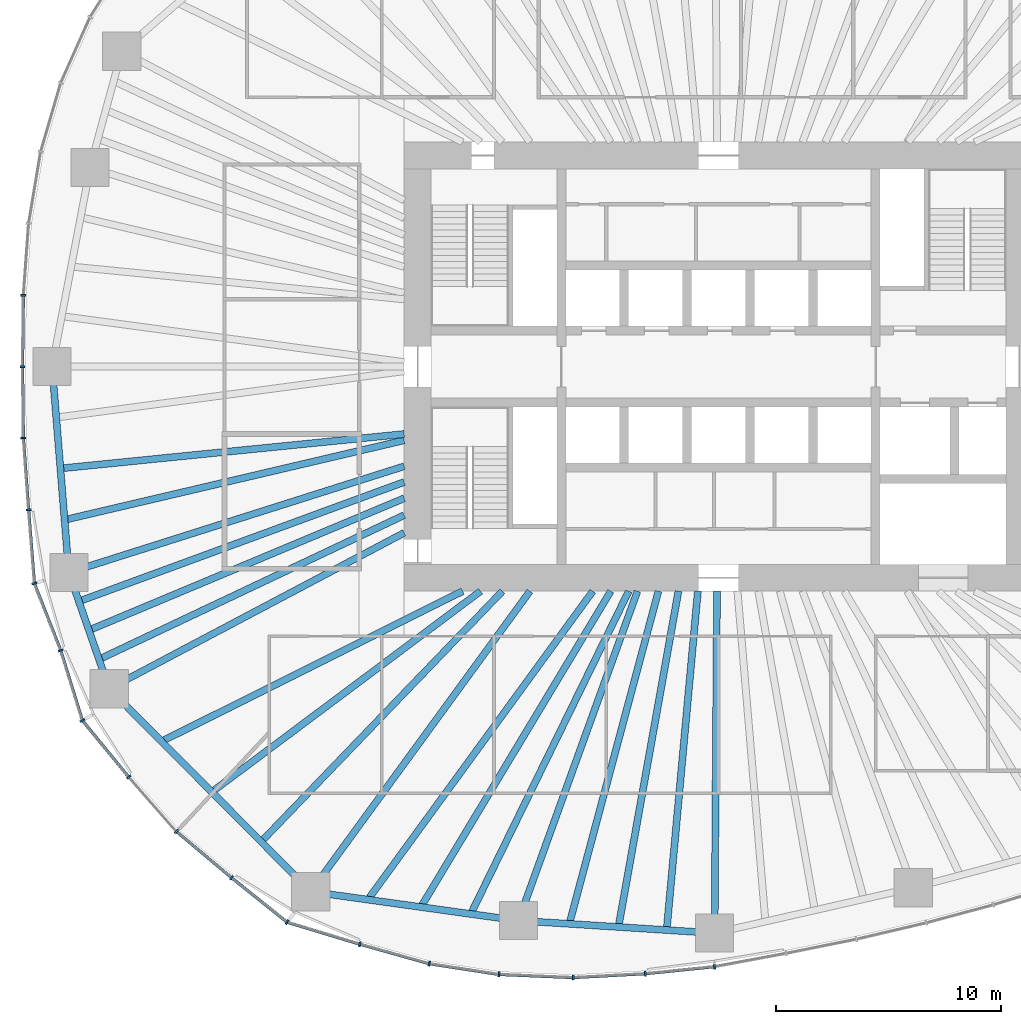
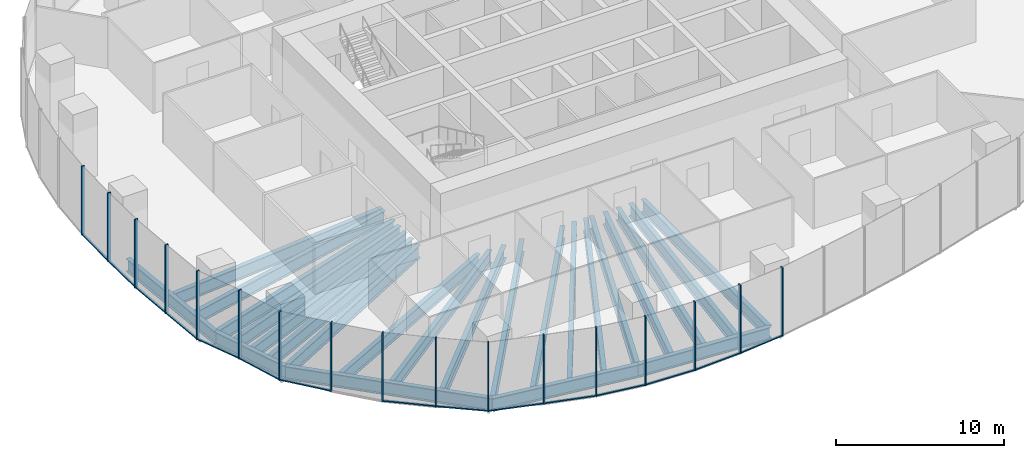
# One storey, part 2 of 20: 32 members, 24 beams, 7 elements without a shape of their own.
"""IFC4 building model written with IfcOpenShell, lengths in metres."""

from ifc_helpers import new_model, si_unit, direction, frame, origin, origin_2d, place, context, subcontext, project, spatial, rectangle, i_section, extrude, material, material_profile, profile_set, type_object, element, aggregate, save


model = new_model("IFC4")

# Units and contexts
model_context = context("Model", 3, precision=1e-05, world=origin(), true_north=direction((0.0, 1.0)))
body_context = subcontext(model_context, "Body", "Model", "MODEL_VIEW")
ifc_project = project(units=[si_unit("LENGTHUNIT", "METRE"), si_unit("AREAUNIT", "SQUARE_METRE"), si_unit("VOLUMEUNIT", "CUBIC_METRE"), si_unit("PLANEANGLEUNIT", "RADIAN"), si_unit("MASSUNIT", "GRAM", prefix="KILO")], contexts=[model_context])

# Site, building, storey
site_placement = place(None, origin())
site = spatial("IfcSite", under=ifc_project, at=site_placement, CompositionType="ELEMENT")
building_placement = place(site_placement, origin())
building = spatial("IfcBuilding", under=site, at=building_placement, Name="Ghaith Harvest Tower", CompositionType="ELEMENT")
storey_placement = place(building_placement, frame((0.0, 0.0, 55.0)))
storey = spatial("IfcBuildingStorey", under=building, at=storey_placement, Name="L11", CompositionType="ELEMENT", Elevation=55.0)

# Curtain wall, member
ifc_material_1 = material(Name="Black anodised aluminium and fritted glass", Category="aluminium")
curtain_wall_type = type_object("IfcCurtainWallType", Name="CW-F CURTAIN WALL", PredefinedType="NOTDEFINED", material=ifc_material_1)
curtain_wall_1_placement = place(storey_placement, origin())
curtain_wall_1 = element("IfcCurtainWall", 1, at=curtain_wall_1_placement, inside=storey, type_object=curtain_wall_type, Name="Curtain wall CW-F bay 10 L11", PredefinedType="NOTDEFINED")
ifc_material_2 = material(Name="Aluminium, black anodised", Category="aluminium")
ifc_material_profile_1 = material_profile(ifc_material_2, rectangle(XDim=0.080078125, YDim=0.219970703125, at=origin_2d()), Name="CW-F MULLION 80x220")
ifc_profile_set_1 = profile_set([ifc_material_profile_1], Name="Aluminium, black anodised")
member_type_1 = type_object("IfcMemberType", Name="CW-F MULLION 80x220", PredefinedType="MULLION", material=ifc_profile_set_1)
member_1_placement = place(storey_placement, frame((-30.95654296875, 3.177978515625, 0.0), z_axis=(0.0, 0.0, 1.0), x_axis=(-0.042427007767, -0.999099569118, 0.0)))
member_1 = element("IfcMember", 2, at=member_1_placement, type_object=member_type_1, Name="CW-F mullion 3 bay 10 L11", PredefinedType="MULLION", context=body_context, shape_type="SweptSolid", body=[
    extrude(rectangle(XDim=0.080078125, YDim=0.219970703125, at=origin_2d()), origin(), (0.0, 0.0, 1.0), 5.0),
])

# Curtain wall, members
curtain_wall_2_placement = place(storey_placement, origin())
curtain_wall_2 = element("IfcCurtainWall", 3, at=curtain_wall_2_placement, inside=storey, type_object=curtain_wall_type, Name="Curtain wall CW-F bay 11 L11", PredefinedType="NOTDEFINED")
member_2_placement = place(storey_placement, frame((-30.9951171875, 0.0, 0.0), z_axis=(0.0, 0.0, 1.0), x_axis=(1.4e-10, -1.0, 0.0)))
member_2 = element("IfcMember", 4, at=member_2_placement, type_object=member_type_1, Name="CW-F mullion 1 bay 11 L11", PredefinedType="MULLION", context=body_context, shape_type="SweptSolid", body=[
    extrude(rectangle(XDim=0.080078125, YDim=0.219970703125, at=origin_2d()), origin(), (0.0, 0.0, 1.0), 5.0),
])
member_3_placement = place(storey_placement, frame((-30.95654296875, -3.177978515625, 0.0), z_axis=(0.0, 0.0, 1.0), x_axis=(0.042427007872, -0.999099569114, 0.0)))
member_3 = element("IfcMember", 5, at=member_3_placement, type_object=member_type_1, Name="CW-F mullion 2 bay 11 L11", PredefinedType="MULLION", context=body_context, shape_type="SweptSolid", body=[
    extrude(rectangle(XDim=0.080078125, YDim=0.219970703125, at=origin_2d()), origin(), (0.0, 0.0, 1.0), 5.0),
])
member_4_placement = place(storey_placement, frame((-30.724365234375, -6.37548828125, 0.0), z_axis=(0.0, 0.0, 1.0), x_axis=(0.07568573288, -0.997131721408, 0.0)))
member_4 = element("IfcMember", 6, at=member_4_placement, type_object=member_type_1, Name="CW-F mullion 3 bay 11 L11", PredefinedType="MULLION", context=body_context, shape_type="SweptSolid", body=[
    extrude(rectangle(XDim=0.080078125, YDim=0.219970703125, at=origin_2d()), origin(), (0.0, 0.0, 1.0), 5.0),
])

curtain_wall_3_placement = place(storey_placement, origin())
curtain_wall_3 = element("IfcCurtainWall", 7, at=curtain_wall_3_placement, inside=storey, type_object=curtain_wall_type, Name="Curtain wall CW-F bay 12 L11", PredefinedType="NOTDEFINED")
member_5_placement = place(storey_placement, frame((-30.46484375, -9.65478515625, 0.0), z_axis=(0.0, 0.0, 1.0), x_axis=(0.222967363441, -0.974825910017, 0.0)))
member_5 = element("IfcMember", 8, at=member_5_placement, type_object=member_type_1, Name="CW-F mullion 1 bay 12 L11", PredefinedType="MULLION", context=body_context, shape_type="SweptSolid", body=[
    extrude(rectangle(XDim=0.080078125, YDim=0.219970703125, at=origin_2d()), origin(), (0.0, 0.0, 1.0), 5.0),
])
member_6_placement = place(storey_placement, frame((-29.29248046875, -12.63525390625, 0.0), z_axis=(0.0, 0.0, 1.0), x_axis=(0.330700518925, -0.943735750506, 0.0)))
member_6 = element("IfcMember", 9, at=member_6_placement, type_object=member_type_1, Name="CW-F mullion 2 bay 12 L11", PredefinedType="MULLION", context=body_context, shape_type="SweptSolid", body=[
    extrude(rectangle(XDim=0.080078125, YDim=0.219970703125, at=origin_2d()), origin(), (0.0, 0.0, 1.0), 5.0),
])
member_7_placement = place(storey_placement, frame((-28.3271484375, -15.7548828125, 0.0), z_axis=(0.0, 0.0, 1.0), x_axis=(0.473265082527, -0.880920065421, 0.0)))
member_7 = element("IfcMember", 10, at=member_7_placement, type_object=member_type_1, Name="CW-F mullion 3 bay 12 L11", PredefinedType="MULLION", context=body_context, shape_type="SweptSolid", body=[
    extrude(rectangle(XDim=0.080078125, YDim=0.219970703125, at=origin_2d()), origin(), (0.0, 0.0, 1.0), 5.0),
])

curtain_wall_4_placement = place(storey_placement, origin())
curtain_wall_4 = element("IfcCurtainWall", 11, at=curtain_wall_4_placement, inside=storey, type_object=curtain_wall_type, Name="Curtain wall CW-F bay 13 L11", PredefinedType="NOTDEFINED")
member_8_placement = place(storey_placement, frame((-26.26318359375, -18.274169921875, 0.0), z_axis=(0.0, 0.0, 1.0), x_axis=(0.646523538748, -0.762894038412, 0.0)))
member_8 = element("IfcMember", 12, at=member_8_placement, type_object=member_type_1, Name="CW-F mullion 1 bay 13 L11", PredefinedType="MULLION", context=body_context, shape_type="SweptSolid", body=[
    extrude(rectangle(XDim=0.080078125, YDim=0.219970703125, at=origin_2d()), origin(), (0.0, 0.0, 1.0), 5.0),
])
member_9_placement = place(storey_placement, frame((-24.139404296875, -20.696533203125, 0.0), z_axis=(0.0, 0.0, 1.0), x_axis=(0.714663248554, -0.699468684907, 0.0)))
member_9 = element("IfcMember", 13, at=member_9_placement, type_object=member_type_1, Name="CW-F mullion 2 bay 13 L11", PredefinedType="MULLION", context=body_context, shape_type="SweptSolid", body=[
    extrude(rectangle(XDim=0.080078125, YDim=0.219970703125, at=origin_2d()), origin(), (0.0, 0.0, 1.0), 5.0),
])
member_10_placement = place(storey_placement, frame((-21.681640625, -22.758056640625, 0.0), z_axis=(0.0, 0.0, 1.0), x_axis=(0.773138721505, -0.634236956751, 0.0)))
member_10 = element("IfcMember", 14, at=member_10_placement, type_object=member_type_1, Name="CW-F mullion 3 bay 13 L11", PredefinedType="MULLION", context=body_context, shape_type="SweptSolid", body=[
    extrude(rectangle(XDim=0.080078125, YDim=0.219970703125, at=origin_2d()), origin(), (0.0, 0.0, 1.0), 5.0),
])

curtain_wall_5_placement = place(storey_placement, origin())
curtain_wall_5 = element("IfcCurtainWall", 15, at=curtain_wall_5_placement, inside=storey, type_object=curtain_wall_type, Name="Curtain wall CW-F bay 14 L11", PredefinedType="NOTDEFINED")
member_11_placement = place(storey_placement, frame((-19.212646484375, -24.73828125, 0.0), z_axis=(0.0, 0.0, 1.0), x_axis=(0.887912253774, -0.460012858079, 0.0)))
member_11 = element("IfcMember", 16, at=member_11_placement, type_object=member_type_1, Name="CW-F mullion 1 bay 14 L11", PredefinedType="MULLION", context=body_context, shape_type="SweptSolid", body=[
    extrude(rectangle(XDim=0.080078125, YDim=0.219970703125, at=origin_2d()), origin(), (0.0, 0.0, 1.0), 5.0),
])
member_12_placement = place(storey_placement, frame((-15.97119140625, -25.716552734375, 0.0), z_axis=(0.0, 0.0, 1.0), x_axis=(0.960008876539, -0.279969564356, 0.0)))
member_12 = element("IfcMember", 17, at=member_12_placement, type_object=member_type_1, Name="CW-F mullion 2 bay 14 L11", PredefinedType="MULLION", context=body_context, shape_type="SweptSolid", body=[
    extrude(rectangle(XDim=0.080078125, YDim=0.219970703125, at=origin_2d()), origin(), (0.0, 0.0, 1.0), 5.0),
])
member_13_placement = place(storey_placement, frame((-12.880615234375, -26.5849609375, 0.0), z_axis=(0.0, 0.0, 1.0), x_axis=(0.977207016024, -0.212288595628, 0.0)))
member_13 = element("IfcMember", 18, at=member_13_placement, type_object=member_type_1, Name="CW-F mullion 3 bay 14 L11", PredefinedType="MULLION", context=body_context, shape_type="SweptSolid", body=[
    extrude(rectangle(XDim=0.080078125, YDim=0.219970703125, at=origin_2d()), origin(), (0.0, 0.0, 1.0), 5.0),
])

curtain_wall_6_placement = place(storey_placement, origin())
curtain_wall_6 = element("IfcCurtainWall", 19, at=curtain_wall_6_placement, inside=storey, type_object=curtain_wall_type, Name="Curtain wall CW-F bay 15 L11", PredefinedType="NOTDEFINED")
member_14_placement = place(storey_placement, frame((-9.7744140625, -27.062744140625, 0.0), z_axis=(0.0, 0.0, 1.0), x_axis=(0.995408459417, -0.095718331168, 0.0)))
member_14 = element("IfcMember", 20, at=member_14_placement, type_object=member_type_1, Name="CW-F mullion 1 bay 15 L11", PredefinedType="MULLION", context=body_context, shape_type="SweptSolid", body=[
    extrude(rectangle(XDim=0.080078125, YDim=0.219970703125, at=origin_2d()), origin(), (0.0, 0.0, 1.0), 5.0),
])
member_15_placement = place(storey_placement, frame((-6.465087890625, -27.20166015625, 0.0), z_axis=(0.0, 0.0, 1.0), x_axis=(0.999987206373, 0.005058368251, 0.0)))
member_15 = element("IfcMember", 21, at=member_15_placement, type_object=member_type_1, Name="CW-F mullion 2 bay 15 L11", PredefinedType="MULLION", context=body_context, shape_type="SweptSolid", body=[
    extrude(rectangle(XDim=0.080078125, YDim=0.219970703125, at=origin_2d()), origin(), (0.0, 0.0, 1.0), 5.0),
])
member_16_placement = place(storey_placement, frame((-3.261962890625, -27.02978515625, 0.0), z_axis=(0.0, 0.0, 1.0), x_axis=(0.997037536276, 0.07691652135, 0.0)))
member_16 = element("IfcMember", 22, at=member_16_placement, type_object=member_type_1, Name="CW-F mullion 3 bay 15 L11", PredefinedType="MULLION", context=body_context, shape_type="SweptSolid", body=[
    extrude(rectangle(XDim=0.080078125, YDim=0.219970703125, at=origin_2d()), origin(), (0.0, 0.0, 1.0), 5.0),
])

# Curtain wall, member
curtain_wall_7_placement = place(storey_placement, origin())
curtain_wall_7 = element("IfcCurtainWall", 23, at=curtain_wall_7_placement, inside=storey, type_object=curtain_wall_type, Name="Curtain wall CW-F bay 16 L11", PredefinedType="NOTDEFINED")
member_17_placement = place(storey_placement, frame((-0.182861328125, -26.717041015625, 0.0), z_axis=(0.0, 0.0, 1.0), x_axis=(0.98971187144, 0.143074845907, 0.0)))
member_17 = element("IfcMember", 24, at=member_17_placement, type_object=member_type_1, Name="CW-F mullion 1 bay 16 L11", PredefinedType="MULLION", context=body_context, shape_type="SweptSolid", body=[
    extrude(rectangle(XDim=0.080078125, YDim=0.219970703125, at=origin_2d()), origin(), (0.0, 0.0, 1.0), 5.0),
])
aggregate(curtain_wall_7, [member_17])

# Member
ifc_material_3 = material(Name="Aluminium, black anodised", Category="aluminium")
ifc_material_profile_2 = material_profile(ifc_material_3, rectangle(XDim=0.139892578125, YDim=0.080078125, at=origin_2d()), Name="CW-F TRANSOM 140x80")
ifc_profile_set_2 = profile_set([ifc_material_profile_2], Name="Aluminium, black anodised")
member_type_2 = type_object("IfcMemberType", Name="CW-F TRANSOM 140x80", PredefinedType="USERDEFINED", material=ifc_profile_set_2)
member_18_placement = place(storey_placement, frame((-30.95703125, 3.137939453125, 0.0400390625), z_axis=(-0.012135602457, -0.999926360865, 0.0), x_axis=(0.999926360865, -0.012135602457, 0.0)))
member_18 = element("IfcMember", 25, at=member_18_placement, type_object=member_type_2, Name="CW-F transom 3 bay 10 L11", ObjectType="TRANSOM", PredefinedType="USERDEFINED", context=body_context, shape_type="SweptSolid", body=[
    extrude(rectangle(XDim=0.139892578125, YDim=0.080078125, at=origin_2d()), origin(), (0.0, 0.0, 1.0), 3.09814453125),
])

aggregate(curtain_wall_1, [member_1, member_18])

member_19_placement = place(storey_placement, frame((-30.99462890625, -0.0400390625, 0.0400390625), z_axis=(0.012135602457, -0.999926360865, 0.0), x_axis=(0.999926360865, 0.012135602457, 0.0)))
member_19 = element("IfcMember", 26, at=member_19_placement, type_object=member_type_2, Name="CW-F transom 1 bay 11 L11", ObjectType="TRANSOM", PredefinedType="USERDEFINED", context=body_context, shape_type="SweptSolid", body=[
    extrude(rectangle(XDim=0.139892578125, YDim=0.080078125, at=origin_2d()), origin(), (0.0, 0.0, 1.0), 3.09814453125),
])

member_20_placement = place(storey_placement, frame((-30.95361328125, -3.2177734375, 0.0400390625), z_axis=(0.072473547161, -0.997370334912, 0.0), x_axis=(0.997370334912, 0.072473547161, 0.0)))
member_20 = element("IfcMember", 27, at=member_20_placement, type_object=member_type_2, Name="CW-F transom 2 bay 11 L11", ObjectType="TRANSOM", PredefinedType="USERDEFINED", context=body_context, shape_type="SweptSolid", body=[
    extrude(rectangle(XDim=0.139892578125, YDim=0.080078125, at=origin_2d()), origin(), (0.0, 0.0, 1.0), 3.126220703125),
])

member_21_placement = place(storey_placement, frame((-30.72119140625, -6.415283203125, 0.0400390625), z_axis=(0.078877539502, -0.996884313129, 0.0), x_axis=(0.996884313129, 0.078877539502, 0.0)))
member_21 = element("IfcMember", 28, at=member_21_placement, type_object=member_type_2, Name="CW-F transom 3 bay 11 L11", ObjectType="TRANSOM", PredefinedType="USERDEFINED", context=body_context, shape_type="SweptSolid", body=[
    extrude(rectangle(XDim=0.139892578125, YDim=0.080078125, at=origin_2d()), origin(), (0.0, 0.0, 1.0), 3.209716796875),
])

aggregate(curtain_wall_2, [member_2, member_19, member_3, member_20, member_4, member_21])

member_22_placement = place(storey_placement, frame((-30.4501953125, -9.692138671875, 0.0400390625), z_axis=(0.366046617161, -0.93059651518, 0.0), x_axis=(0.93059651518, 0.366046617161, 0.0)))
member_22 = element("IfcMember", 29, at=member_22_placement, type_object=member_type_2, Name="CW-F transom 1 bay 12 L11", ObjectType="TRANSOM", PredefinedType="USERDEFINED", context=body_context, shape_type="SweptSolid", body=[
    extrude(rectangle(XDim=0.139892578125, YDim=0.080078125, at=origin_2d()), origin(), (0.0, 0.0, 1.0), 3.122802734375),
])

member_23_placement = place(storey_placement, frame((-29.28076171875, -12.673583984375, 0.0400390625), z_axis=(0.295598800908, -0.955312173534, 0.0), x_axis=(0.955312173534, 0.295598800908, 0.0)))
member_23 = element("IfcMember", 30, at=member_23_placement, type_object=member_type_2, Name="CW-F transom 2 bay 12 L11", ObjectType="TRANSOM", PredefinedType="USERDEFINED", context=body_context, shape_type="SweptSolid", body=[
    extrude(rectangle(XDim=0.139892578125, YDim=0.080078125, at=origin_2d()), origin(), (0.0, 0.0, 1.0), 3.185546875),
])

member_24_placement = place(storey_placement, frame((-28.302001953125, -15.785888671875, 0.0400390625), z_axis=(0.633790042943, -0.773505126982, 0.0), x_axis=(0.773505126982, 0.633790042943, 0.0)))
member_24 = element("IfcMember", 31, at=member_24_placement, type_object=member_type_2, Name="CW-F transom 3 bay 12 L11", ObjectType="TRANSOM", PredefinedType="USERDEFINED", context=body_context, shape_type="SweptSolid", body=[
    extrude(rectangle(XDim=0.139892578125, YDim=0.080078125, at=origin_2d()), origin(), (0.0, 0.0, 1.0), 3.1767578125),
])

aggregate(curtain_wall_3, [member_5, member_22, member_6, member_23, member_7, member_24])

member_25_placement = place(storey_placement, frame((-24.10888671875, -20.72216796875, 0.0400390625), z_axis=(0.766144434184, -0.642668426149, 0.0), x_axis=(0.642668426149, 0.766144434184, 0.0)))
member_25 = element("IfcMember", 32, at=member_25_placement, type_object=member_type_2, Name="CW-F transom 2 bay 13 L11", ObjectType="TRANSOM", PredefinedType="USERDEFINED", context=body_context, shape_type="SweptSolid", body=[
    extrude(rectangle(XDim=0.139892578125, YDim=0.080078125, at=origin_2d()), origin(), (0.0, 0.0, 1.0), 3.1279296875),
])

member_26_placement = place(storey_placement, frame((-21.650634765625, -22.783203125, 0.0400390625), z_axis=(0.780181223133, -0.625553562112, 0.0), x_axis=(0.625553562112, 0.780181223133, 0.0)))
member_26 = element("IfcMember", 33, at=member_26_placement, type_object=member_type_2, Name="CW-F transom 3 bay 13 L11", ObjectType="TRANSOM", PredefinedType="USERDEFINED", context=body_context, shape_type="SweptSolid", body=[
    extrude(rectangle(XDim=0.139892578125, YDim=0.080078125, at=origin_2d()), origin(), (0.0, 0.0, 1.0), 3.085205078125),
])

aggregate(curtain_wall_4, [member_8, member_9, member_25, member_10, member_26])

member_27_placement = place(storey_placement, frame((-19.17431640625, -24.749755859375, 0.0400390625), z_axis=(0.957335035376, -0.288980328121, 0.0), x_axis=(0.288980328121, 0.957335035376, 0.0)))
member_27 = element("IfcMember", 34, at=member_27_placement, type_object=member_type_2, Name="CW-F transom 1 bay 14 L11", ObjectType="TRANSOM", PredefinedType="USERDEFINED", context=body_context, shape_type="SweptSolid", body=[
    extrude(rectangle(XDim=0.139892578125, YDim=0.080078125, at=origin_2d()), origin(), (0.0, 0.0, 1.0), 3.305908203125),
])

member_28_placement = place(storey_placement, frame((-15.9326171875, -25.727294921875, 0.0400390625), z_axis=(0.962727128991, -0.270474536888, 0.0), x_axis=(0.270474536888, 0.962727128991, 0.0)))
member_28 = element("IfcMember", 35, at=member_28_placement, type_object=member_type_2, Name="CW-F transom 2 bay 14 L11", ObjectType="TRANSOM", PredefinedType="USERDEFINED", context=body_context, shape_type="SweptSolid", body=[
    extrude(rectangle(XDim=0.139892578125, YDim=0.080078125, at=origin_2d()), origin(), (0.0, 0.0, 1.0), 3.13037109375),
])

member_29_placement = place(storey_placement, frame((-12.841064453125, -26.591064453125, 0.0400390625), z_axis=(0.988378147633, -0.152015253451, 0.0), x_axis=(0.152015253451, 0.988378147633, 0.0)))
member_29 = element("IfcMember", 36, at=member_29_placement, type_object=member_type_2, Name="CW-F transom 3 bay 14 L11", ObjectType="TRANSOM", PredefinedType="USERDEFINED", context=body_context, shape_type="SweptSolid", body=[
    extrude(rectangle(XDim=0.139892578125, YDim=0.080078125, at=origin_2d()), origin(), (0.0, 0.0, 1.0), 3.062744140625),
])

aggregate(curtain_wall_5, [member_11, member_27, member_12, member_28, member_13, member_29])

member_30_placement = place(storey_placement, frame((-9.734375, -27.064453125, 0.0400390625), z_axis=(0.999117688764, -0.04199814281, 0.0), x_axis=(0.04199814281, 0.999117688764, 0.0)))
member_30 = element("IfcMember", 37, at=member_30_placement, type_object=member_type_2, Name="CW-F transom 1 bay 15 L11", ObjectType="TRANSOM", PredefinedType="USERDEFINED", context=body_context, shape_type="SweptSolid", body=[
    extrude(rectangle(XDim=0.139892578125, YDim=0.080078125, at=origin_2d()), origin(), (0.0, 0.0, 1.0), 3.232177734375),
])

member_31_placement = place(storey_placement, frame((-6.42529296875, -27.19970703125, 0.0400390625), z_axis=(0.99856142387, 0.053619798202, 0.0), x_axis=(-0.053619798202, 0.99856142387, 0.0)))
member_31 = element("IfcMember", 38, at=member_31_placement, type_object=member_type_2, Name="CW-F transom 2 bay 15 L11", ObjectType="TRANSOM", PredefinedType="USERDEFINED", context=body_context, shape_type="SweptSolid", body=[
    extrude(rectangle(XDim=0.139892578125, YDim=0.080078125, at=origin_2d()), origin(), (0.0, 0.0, 1.0), 3.1279296875),
])

member_32_placement = place(storey_placement, frame((-3.22216796875, -27.02587890625, 0.0400390625), z_axis=(0.994880435036, 0.101058992587, 0.0), x_axis=(-0.101058992587, 0.994880435036, 0.0)))
member_32 = element("IfcMember", 39, at=member_32_placement, type_object=member_type_2, Name="CW-F transom 3 bay 15 L11", ObjectType="TRANSOM", PredefinedType="USERDEFINED", context=body_context, shape_type="SweptSolid", body=[
    extrude(rectangle(XDim=0.139892578125, YDim=0.080078125, at=origin_2d()), origin(), (0.0, 0.0, 1.0), 3.014892578125),
])

aggregate(curtain_wall_6, [member_14, member_30, member_15, member_31, member_16, member_32])

# Beams
ifc_material_4 = material(Name="Steel ASTM A992 Grade 50", Category="steel")
ifc_material_profile_3 = material_profile(ifc_material_4, i_section(OverallWidth=0.306884765625, OverallDepth=0.94189453125, WebThickness=0.022216796875, FlangeThickness=0.039794921875, at=origin_2d()), Name="W920X345")
ifc_profile_set_3 = profile_set([ifc_material_profile_3], Name="Steel ASTM A992 Grade 50")
beam_type_1 = type_object("IfcBeamType", Name="E920-345 W920X345", PredefinedType="SPANDREL", material=ifc_profile_set_3)
beam_1_placement = place(storey_placement, frame((-29.675048828125, 0.0, -0.6708984375), z_axis=(0.081006863421, -0.996713543642, 0.0), x_axis=(0.996713543642, 0.081006863421, 0.0)))
element("IfcBeam", 40, at=beam_1_placement, inside=storey, type_object=beam_type_1, Name="Edge beam E11 L11", PredefinedType="SPANDREL", context=body_context, shape_type="SweptSolid", body=[
    extrude(i_section(OverallWidth=0.306884765625, OverallDepth=0.94189453125, WebThickness=0.022216796875, FlangeThickness=0.039794921875, at=origin_2d()), origin(), (0.0, 0.0, 1.0), 9.1982421875),
])
beam_2_placement = place(storey_placement, frame((-28.929931640625, -9.16796875, -0.6708984375), z_axis=(0.328278550319, -0.944580961803, 0.0), x_axis=(0.944580961803, 0.328278550319, 0.0)))
element("IfcBeam", 41, at=beam_2_placement, inside=storey, type_object=beam_type_1, Name="Edge beam E12 L11", PredefinedType="SPANDREL", context=body_context, shape_type="SweptSolid", body=[
    extrude(i_section(OverallWidth=0.306884765625, OverallDepth=0.94189453125, WebThickness=0.022216796875, FlangeThickness=0.039794921875, at=origin_2d()), origin(), (0.0, 0.0, 1.0), 5.4765625),
])
beam_3_placement = place(storey_placement, frame((-27.132080078125, -14.341064453125, -0.6708984375), z_axis=(0.704562513714, -0.709641926798, 0.0), x_axis=(0.709641926798, 0.704562513714, 0.0)))
element("IfcBeam", 42, at=beam_3_placement, inside=storey, type_object=beam_type_1, Name="Edge beam E13 L11", PredefinedType="SPANDREL", context=body_context, shape_type="SweptSolid", body=[
    extrude(i_section(OverallWidth=0.306884765625, OverallDepth=0.94189453125, WebThickness=0.022216796875, FlangeThickness=0.039794921875, at=origin_2d()), origin(), (0.0, 0.0, 1.0), 12.737060546875),
])
beam_4_placement = place(storey_placement, frame((-18.157958984375, -23.3798828125, -0.6708984375), z_axis=(0.990441143901, -0.137936001352, 0.0), x_axis=(0.137936001352, 0.990441143901, 0.0)))
element("IfcBeam", 43, at=beam_4_placement, inside=storey, type_object=beam_type_1, Name="Edge beam E14 L11", PredefinedType="SPANDREL", context=body_context, shape_type="SweptSolid", body=[
    extrude(i_section(OverallWidth=0.306884765625, OverallDepth=0.94189453125, WebThickness=0.022216796875, FlangeThickness=0.039794921875, at=origin_2d()), origin(), (0.0, 0.0, 1.0), 9.33837890625),
])
beam_5_placement = place(storey_placement, frame((-8.908935546875, -24.66796875, -0.6708984375), z_axis=(0.99797963184, -0.063534671101, 0.0), x_axis=(0.063534671101, 0.99797963184, 0.0)))
element("IfcBeam", 44, at=beam_5_placement, inside=storey, type_object=beam_type_1, Name="Edge beam E15 L11", PredefinedType="SPANDREL", context=body_context, shape_type="SweptSolid", body=[
    extrude(i_section(OverallWidth=0.306884765625, OverallDepth=0.94189453125, WebThickness=0.022216796875, FlangeThickness=0.039794921875, at=origin_2d()), origin(), (0.0, 0.0, 1.0), 8.75341796875),
])
ifc_material_5 = material(Name="Steel ASTM A992 Grade 50", Category="steel")
ifc_material_profile_4 = material_profile(ifc_material_5, i_section(OverallWidth=0.306884765625, OverallDepth=0.94189453125, WebThickness=0.022216796875, FlangeThickness=0.039794921875, at=origin_2d()), Name="W920X345")
ifc_profile_set_4 = profile_set([ifc_material_profile_4], Name="Steel ASTM A992 Grade 50")
beam_type_2 = type_object("IfcBeamType", Name="G920-345 W920X345", PredefinedType="BEAM", material=ifc_profile_set_4)
beam_6_placement = place(storey_placement, frame((-14.0, -4.43701171875, -0.6708984375), z_axis=(-0.953284407194, -0.302074227636, 0.0), x_axis=(0.302074227636, -0.953284407194, 0.0)))
element("IfcBeam", 45, at=beam_6_placement, inside=storey, type_object=beam_type_2, Name="Radial girder G12 L11", PredefinedType="BEAM", context=body_context, shape_type="SweptSolid", body=[
    extrude(i_section(OverallWidth=0.306884765625, OverallDepth=0.94189453125, WebThickness=0.022216796875, FlangeThickness=0.039794921875, at=origin_2d()), origin(), (0.0, 0.0, 1.0), 15.66162109375),
])
beam_7_placement = place(storey_placement, frame((-14.0, -7.39990234375, -0.6708984375), z_axis=(-0.884097171481, -0.467303104397, 0.0), x_axis=(0.467303104397, -0.884097171481, 0.0)))
element("IfcBeam", 46, at=beam_7_placement, inside=storey, type_object=beam_type_2, Name="Radial girder G13 L11", PredefinedType="BEAM", context=body_context, shape_type="SweptSolid", body=[
    extrude(i_section(OverallWidth=0.306884765625, OverallDepth=0.94189453125, WebThickness=0.022216796875, FlangeThickness=0.039794921875, at=origin_2d()), origin(), (0.0, 0.0, 1.0), 14.853759765625),
])
beam_8_placement = place(storey_placement, frame((-8.39990234375, -10.0, -0.6708984375), z_axis=(-0.589246749374, -0.807953134997, 0.0), x_axis=(0.807953134997, -0.589246749374, 0.0)))
element("IfcBeam", 47, at=beam_8_placement, inside=storey, type_object=beam_type_2, Name="Radial girder G14 L11", PredefinedType="BEAM", context=body_context, shape_type="SweptSolid", body=[
    extrude(i_section(OverallWidth=0.306884765625, OverallDepth=0.94189453125, WebThickness=0.022216796875, FlangeThickness=0.039794921875, at=origin_2d()), origin(), (0.0, 0.0, 1.0), 16.560302734375),
])
beam_9_placement = place(storey_placement, frame((-3.61181640625, -10.0, -0.6708984375), z_axis=(-0.339664467784, -0.940546675782, 0.0), x_axis=(0.940546675782, -0.339664467784, 0.0)))
element("IfcBeam", 48, at=beam_9_placement, inside=storey, type_object=beam_type_2, Name="Radial girder G15 L11", PredefinedType="BEAM", context=body_context, shape_type="SweptSolid", body=[
    extrude(i_section(OverallWidth=0.306884765625, OverallDepth=0.94189453125, WebThickness=0.022216796875, FlangeThickness=0.039794921875, at=origin_2d()), origin(), (0.0, 0.0, 1.0), 15.59521484375),
])
beam_10_placement = place(storey_placement, frame((-0.068359375, -10.0, -0.6708984375), z_axis=(-0.006879467722, -0.999976336182, 0.0), x_axis=(0.999976336182, -0.006879467722, 0.0)))
element("IfcBeam", 49, at=beam_10_placement, inside=storey, type_object=beam_type_2, Name="Radial girder G16 L11", PredefinedType="BEAM", context=body_context, shape_type="SweptSolid", body=[
    extrude(i_section(OverallWidth=0.306884765625, OverallDepth=0.94189453125, WebThickness=0.022216796875, FlangeThickness=0.039794921875, at=origin_2d()), origin(), (0.0, 0.0, 1.0), 15.224365234375),
])
ifc_material_6 = material(Name="Steel ASTM A992 Grade 50", Category="steel")
ifc_material_profile_5 = material_profile(ifc_material_6, i_section(OverallWidth=0.31005859375, OverallDepth=0.927001953125, WebThickness=0.019287109375, FlangeThickness=0.031982421875, at=origin_2d()), Name="W920X289")
ifc_profile_set_5 = profile_set([ifc_material_profile_5], Name="Steel ASTM A992 Grade 50")
beam_type_3 = type_object("IfcBeamType", Name="J920-289 W920X289", PredefinedType="JOIST", material=ifc_profile_set_5)
beam_11_placement = place(storey_placement, frame((-14.0, -3.0, -0.66357421875), z_axis=(-0.995023982133, -0.099635711366, 0.0), x_axis=(0.099635711366, -0.995023982133, 0.0)))
element("IfcBeam", 50, at=beam_11_placement, inside=storey, type_object=beam_type_3, Name="Joist J11.2 L11", PredefinedType="JOIST", context=body_context, shape_type="SweptSolid", body=[
    extrude(i_section(OverallWidth=0.31005859375, OverallDepth=0.927001953125, WebThickness=0.019287109375, FlangeThickness=0.031982421875, at=origin_2d()), origin(), (0.0, 0.0, 1.0), 15.38330078125),
])
beam_12_placement = place(storey_placement, frame((-14.0, -3.280517578125, -0.66357421875), z_axis=(-0.973622531394, -0.228164778969, 0.0), x_axis=(0.228164778969, -0.973622531394, 0.0)))
element("IfcBeam", 51, at=beam_12_placement, inside=storey, type_object=beam_type_3, Name="Joist J11.3 L11", PredefinedType="JOIST", context=body_context, shape_type="SweptSolid", body=[
    extrude(i_section(OverallWidth=0.31005859375, OverallDepth=0.927001953125, WebThickness=0.019287109375, FlangeThickness=0.031982421875, at=origin_2d()), origin(), (0.0, 0.0, 1.0), 15.5302734375),
])
beam_13_placement = place(storey_placement, frame((-14.0, -5.137939453125, -0.66357421875), z_axis=(-0.938772784742, -0.344536875569, 0.0), x_axis=(0.344536875569, -0.938772784742, 0.0)))
element("IfcBeam", 52, at=beam_13_placement, inside=storey, type_object=beam_type_3, Name="Joist J12.1 L11", PredefinedType="JOIST", context=body_context, shape_type="SweptSolid", body=[
    extrude(i_section(OverallWidth=0.31005859375, OverallDepth=0.927001953125, WebThickness=0.019287109375, FlangeThickness=0.031982421875, at=origin_2d()), origin(), (0.0, 0.0, 1.0), 15.427734375),
])
beam_14_placement = place(storey_placement, frame((-14.0, -5.862548828125, -0.66357421875), z_axis=(-0.922389547545, -0.386260951404, 0.0), x_axis=(0.386260951404, -0.922389547545, 0.0)))
element("IfcBeam", 53, at=beam_14_placement, inside=storey, type_object=beam_type_3, Name="Joist J12.2 L11", PredefinedType="JOIST", context=body_context, shape_type="SweptSolid", body=[
    extrude(i_section(OverallWidth=0.31005859375, OverallDepth=0.927001953125, WebThickness=0.019287109375, FlangeThickness=0.031982421875, at=origin_2d()), origin(), (0.0, 0.0, 1.0), 15.216796875),
])
beam_15_placement = place(storey_placement, frame((-14.0, -6.614990234375, -0.66357421875), z_axis=(-0.904152605228, -0.427209628239, 0.0), x_axis=(0.427209628239, -0.904152605228, 0.0)))
element("IfcBeam", 54, at=beam_15_placement, inside=storey, type_object=beam_type_3, Name="Joist J12.3 L11", PredefinedType="JOIST", context=body_context, shape_type="SweptSolid", body=[
    extrude(i_section(OverallWidth=0.31005859375, OverallDepth=0.927001953125, WebThickness=0.019287109375, FlangeThickness=0.031982421875, at=origin_2d()), origin(), (0.0, 0.0, 1.0), 15.0263671875),
])
beam_16_placement = place(storey_placement, frame((-11.39990234375, -10.0, -0.66357421875), z_axis=(-0.894746445211, -0.446574516495, 0.0), x_axis=(0.446574516495, -0.894746445211, 0.0)))
element("IfcBeam", 55, at=beam_16_placement, inside=storey, type_object=beam_type_3, Name="Joist J13.1 L11", PredefinedType="JOIST", context=body_context, shape_type="SweptSolid", body=[
    extrude(i_section(OverallWidth=0.31005859375, OverallDepth=0.927001953125, WebThickness=0.019287109375, FlangeThickness=0.031982421875, at=origin_2d()), origin(), (0.0, 0.0, 1.0), 14.977783203125),
])
beam_17_placement = place(storey_placement, frame((-10.60009765625, -10.0, -0.66357421875), z_axis=(-0.800995319048, -0.598670609653, 0.0), x_axis=(0.598670609653, -0.800995319048, 0.0)))
element("IfcBeam", 56, at=beam_17_placement, inside=storey, type_object=beam_type_3, Name="Joist J13.2 L11", PredefinedType="JOIST", context=body_context, shape_type="SweptSolid", body=[
    extrude(i_section(OverallWidth=0.31005859375, OverallDepth=0.927001953125, WebThickness=0.019287109375, FlangeThickness=0.031982421875, at=origin_2d()), origin(), (0.0, 0.0, 1.0), 14.936279296875),
])
beam_18_placement = place(storey_placement, frame((-1.785888671875, -10.0, -0.66357421875), z_axis=(-0.175792307544, -0.984427277461, 0.0), x_axis=(0.984427277461, -0.175792307544, 0.0)))
element("IfcBeam", 57, at=beam_18_placement, inside=storey, type_object=beam_type_3, Name="Joist J15.2 L11", PredefinedType="JOIST", context=body_context, shape_type="SweptSolid", body=[
    extrude(i_section(OverallWidth=0.31005859375, OverallDepth=0.927001953125, WebThickness=0.019287109375, FlangeThickness=0.031982421875, at=origin_2d()), origin(), (0.0, 0.0, 1.0), 15.18798828125),
])
beam_19_placement = place(storey_placement, frame((-0.92041015625, -10.0, -0.66357421875), z_axis=(-0.091651457116, -0.995791147987, 0.0), x_axis=(0.995791147987, -0.091651457116, 0.0)))
element("IfcBeam", 58, at=beam_19_placement, inside=storey, type_object=beam_type_3, Name="Joist J15.3 L11", PredefinedType="JOIST", context=body_context, shape_type="SweptSolid", body=[
    extrude(i_section(OverallWidth=0.31005859375, OverallDepth=0.927001953125, WebThickness=0.019287109375, FlangeThickness=0.031982421875, at=origin_2d()), origin(), (0.0, 0.0, 1.0), 15.151611328125),
])
ifc_material_7 = material(Name="Steel ASTM A992 Grade 50", Category="steel")
ifc_material_profile_6 = material_profile(ifc_material_7, i_section(OverallWidth=0.306884765625, OverallDepth=0.94189453125, WebThickness=0.022216796875, FlangeThickness=0.039794921875, at=origin_2d()), Name="W920X345")
ifc_profile_set_6 = profile_set([ifc_material_profile_6], Name="Steel ASTM A992 Grade 50")
beam_type_4 = type_object("IfcBeamType", Name="J920-345 W920X345", PredefinedType="JOIST", material=ifc_profile_set_6)
beam_20_placement = place(storey_placement, frame((-9.626708984375, -10.0, -0.6708984375), z_axis=(-0.69353836378, -0.720419695709, 0.0), x_axis=(0.720419695709, -0.69353836378, 0.0)))
element("IfcBeam", 59, at=beam_20_placement, inside=storey, type_object=beam_type_4, Name="Joist J13.3 L11", PredefinedType="JOIST", context=body_context, shape_type="SweptSolid", body=[
    extrude(i_section(OverallWidth=0.306884765625, OverallDepth=0.94189453125, WebThickness=0.022216796875, FlangeThickness=0.039794921875, at=origin_2d()), origin(), (0.0, 0.0, 1.0), 15.485107421875),
])
beam_21_placement = place(storey_placement, frame((-5.60009765625, -10.0, -0.6708984375), z_axis=(-0.589160240072, -0.808016219836, 0.0), x_axis=(0.808016219836, -0.589160240072, 0.0)))
element("IfcBeam", 60, at=beam_21_placement, inside=storey, type_object=beam_type_4, Name="Joist J14.1 L11", PredefinedType="JOIST", context=body_context, shape_type="SweptSolid", body=[
    extrude(i_section(OverallWidth=0.306884765625, OverallDepth=0.94189453125, WebThickness=0.022216796875, FlangeThickness=0.039794921875, at=origin_2d()), origin(), (0.0, 0.0, 1.0), 16.997314453125),
])
beam_22_placement = place(storey_placement, frame((-4.800048828125, -10.0, -0.6708984375), z_axis=(-0.515226384897, -0.85705412449, 0.0), x_axis=(0.85705412449, -0.515226384897, 0.0)))
element("IfcBeam", 61, at=beam_22_placement, inside=storey, type_object=beam_type_4, Name="Joist J14.2 L11", PredefinedType="JOIST", context=body_context, shape_type="SweptSolid", body=[
    extrude(i_section(OverallWidth=0.306884765625, OverallDepth=0.94189453125, WebThickness=0.022216796875, FlangeThickness=0.039794921875, at=origin_2d()), origin(), (0.0, 0.0, 1.0), 16.408447265625),
])
beam_23_placement = place(storey_placement, frame((-4.0, -10.0, -0.6708984375), z_axis=(-0.439463806704, -0.898260297797, 0.0), x_axis=(0.898260297797, -0.439463806704, 0.0)))
element("IfcBeam", 62, at=beam_23_placement, inside=storey, type_object=beam_type_4, Name="Joist J14.3 L11", PredefinedType="JOIST", context=body_context, shape_type="SweptSolid", body=[
    extrude(i_section(OverallWidth=0.306884765625, OverallDepth=0.94189453125, WebThickness=0.022216796875, FlangeThickness=0.039794921875, at=origin_2d()), origin(), (0.0, 0.0, 1.0), 16.000244140625),
])
beam_24_placement = place(storey_placement, frame((-2.677978515625, -10.0, -0.6708984375), z_axis=(-0.258693109612, -0.965959561803, 0.0), x_axis=(0.965959561803, -0.258693109612, 0.0)))
element("IfcBeam", 63, at=beam_24_placement, inside=storey, type_object=beam_type_4, Name="Joist J15.1 L11", PredefinedType="JOIST", context=body_context, shape_type="SweptSolid", body=[
    extrude(i_section(OverallWidth=0.306884765625, OverallDepth=0.94189453125, WebThickness=0.022216796875, FlangeThickness=0.039794921875, at=origin_2d()), origin(), (0.0, 0.0, 1.0), 15.333984375),
])

save(model, "model.ifc")
